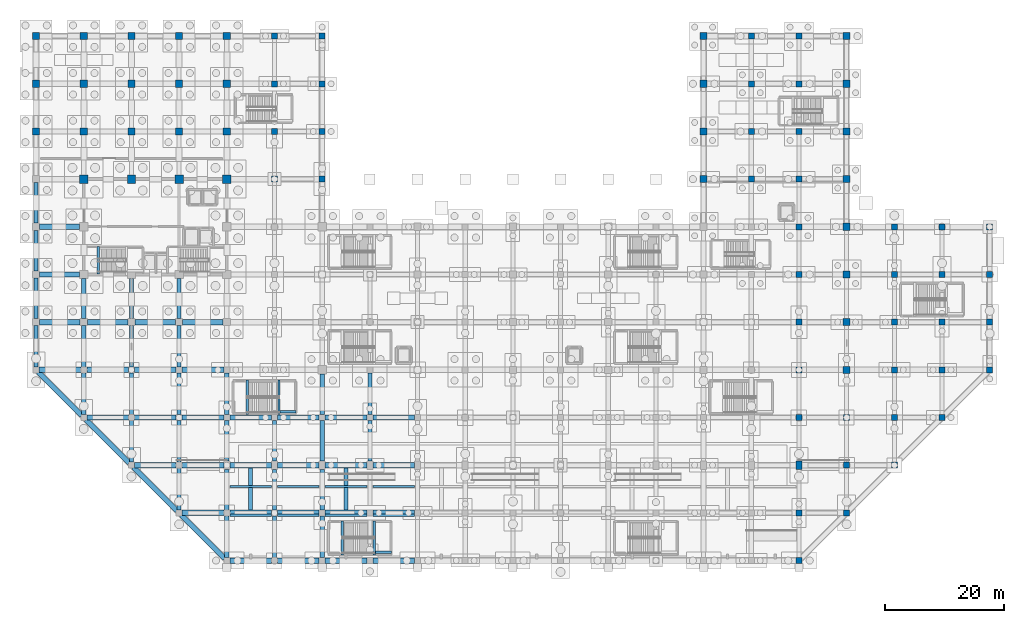
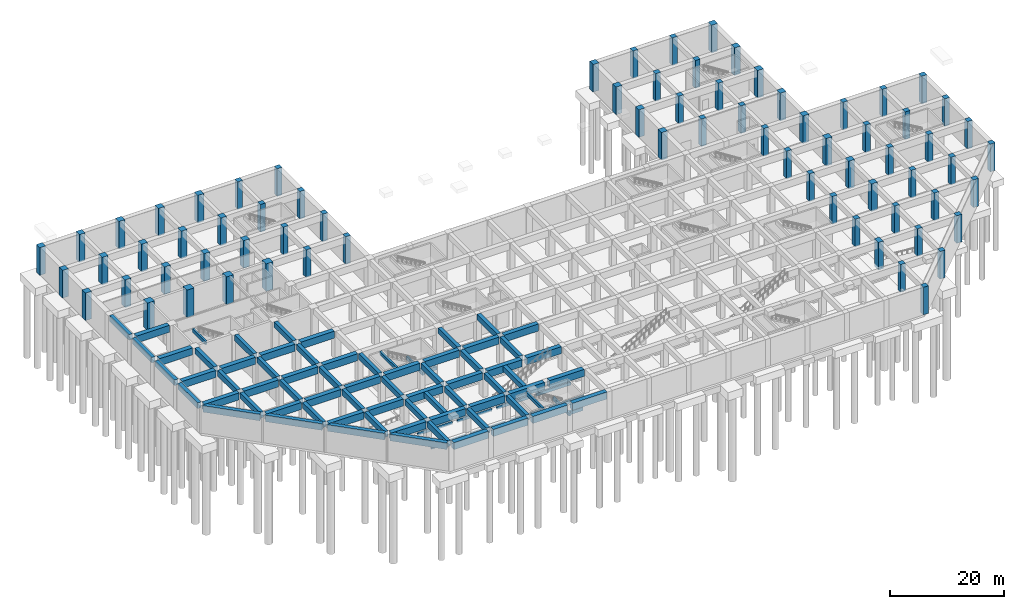
# One storey, part 10 of 26: 82 beams, 73 columns.
"""IFC4 building model written with IfcOpenShell, lengths in metres."""

from ifc_helpers import new_model, si_unit, direction, frame, origin, origin_2d, place, context, subcontext, project, spatial, rectangle, extrude, material, material_profile, profile_set, type_object, element, save


model = new_model("IFC4")

# Units and contexts
model_context = context("Model", 3, precision=1e-05, world=origin(), true_north=direction((0.0, 1.0)))
body_context = subcontext(model_context, "Body", "Model", "MODEL_VIEW")
ifc_project = project(units=[si_unit("LENGTHUNIT", "METRE"), si_unit("AREAUNIT", "SQUARE_METRE"), si_unit("VOLUMEUNIT", "CUBIC_METRE"), si_unit("PLANEANGLEUNIT", "RADIAN"), si_unit("MASSUNIT", "GRAM", prefix="KILO")], contexts=[model_context])

# Site, building, storey
site_placement = place(None, origin())
site = spatial("IfcSite", under=ifc_project, at=site_placement, CompositionType="ELEMENT")
building_placement = place(site_placement, origin())
building = spatial("IfcBuilding", under=site, at=building_placement, Name="Varnela Railside Interchange", CompositionType="ELEMENT")
storey_placement = place(building_placement, frame((0.0, 0.0, -12.60009765625)))
storey = spatial("IfcBuildingStorey", under=building, at=storey_placement, Name="B2", CompositionType="ELEMENT", Elevation=-12.60009765625)

# Columns
ifc_material_1 = material(Name="Concrete C50", Category="concrete")
ifc_material_profile_1 = material_profile(ifc_material_1, rectangle(XDim=1.199951171875, YDim=1.199951171875, at=origin_2d()), Name="RC 1200x1200")
ifc_profile_set_1 = profile_set([ifc_material_profile_1], Name="Concrete C50")
column_type_1 = type_object("IfcColumnType", Name="Station Box Heavy Column C-09", PredefinedType="COLUMN", material=ifc_profile_set_1)
for number, where, z_axis, x_axis, name in (
    (1, (4.0, 78.0, 0.0), (0.0, 0.0, 1.0), (1.0, 0.0, 0.0), "Column C-09 (B2) (CL-0099)"),
    (2, (4.0, 86.0, 0.0), (0.0, 0.0, 1.0), (1.0, 0.0, 0.0), "Column C-09 (B2) (CL-0100)"),
    (3, (4.0, 94.0, 0.0), (0.0, 0.0, 1.0), (1.0, 0.0, 0.0), "Column C-09 (B2) (CL-0101)"),
    (4, (12.0, 78.0, 0.0), (0.0, 0.0, 1.0), (1.0, 0.0, 0.0), "Column C-09 (B2) (CL-0117)"),
    (5, (12.0, 86.0, 0.0), (0.0, 0.0, 1.0), (1.0, 0.0, 0.0), "Column C-09 (B2) (CL-0118)"),
    (6, (12.0, 94.0, 0.0), (0.0, 0.0, 1.0), (1.0, 0.0, 0.0), "Column C-09 (B2) (CL-0119)"),
    (7, (20.0, 78.0, 0.0), (0.0, 0.0, 1.0), (1.0, 0.0, 0.0), "Column C-09 (B2) (CL-0126)"),
    (8, (20.0, 86.0, 0.0), (0.0, 0.0, 1.0), (1.0, 0.0, 0.0), "Column C-09 (B2) (CL-0127)"),
    (9, (20.0, 94.0, 0.0), (0.0, 0.0, 1.0), (1.0, 0.0, 0.0), "Column C-09 (B2) (CL-0128)"),
    (10, (28.0, 78.0, 0.0), (0.0, 0.0, 1.0), (1.0, 0.0, 0.0), "Column C-09 (B2) (CL-0136)"),
    (11, (28.0, 86.0, 0.0), (0.0, 0.0, 1.0), (1.0, 0.0, 0.0), "Column C-09 (B2) (CL-0137)"),
    (12, (28.0, 94.0, 0.0), (0.0, 0.0, 1.0), (1.0, 0.0, 0.0), "Column C-09 (B2) (CL-0138)"),
    (13, (36.0, 78.0, 0.0), (0.0, 0.0, 1.0), (1.0, 0.0, 0.0), "Column C-09 (B2) (CL-0148)"),
    (14, (36.0, 86.0, 0.0), (0.0, 0.0, 1.0), (1.0, 0.0, 0.0), "Column C-09 (B2) (CL-0149)"),
    (15, (36.0, 94.0, 0.0), (0.0, 0.0, 1.0), (1.0, 0.0, 0.0), "Column C-09 (B2) (CL-0150)"),
    (16, (116.0, 70.0, 0.0), (0.0, 0.0, 1.0), (1.0, 0.0, 0.0), "Column C-09 (B2) (CL-0049)"),
    (17, (116.0, 78.0, 0.0), (0.0, 0.0, 1.0), (1.0, 0.0, 0.0), "Column C-09 (B2) (CL-0050)"),
    (18, (116.0, 86.0, 0.0), (0.0, 0.0, 1.0), (1.0, 0.0, 0.0), "Column C-09 (B2) (CL-0051)"),
    (19, (116.0, 94.0, 0.0), (0.0, 0.0, 1.0), (1.0, 0.0, 0.0), "Column C-09 (B2) (CL-0052)"),
    (20, (140.0, 38.0, 0.0), (0.0, 0.0, 1.0), (1.0, 0.0, 0.0), "Column C-09 (B2) (CL-0080)"),
    (21, (140.0, 46.0, 0.0), (0.0, 0.0, 1.0), (1.0, 0.0, 0.0), "Column C-09 (B2) (CL-0081)"),
    (22, (140.0, 54.0, 0.0), (0.0, 0.0, 1.0), (1.0, 0.0, 0.0), "Column C-09 (B2) (CL-0082)"),
    (23, (140.0, 62.0, 0.0), (0.0, 0.0, 1.0), (1.0, 0.0, 0.0), "Column C-09 (B2) (CL-0083)"),
    (24, (140.0, 70.0, 0.0), (0.0, 0.0, 1.0), (1.0, 0.0, 0.0), "Column C-09 (B2) (CL-0084)"),
    (25, (140.0, 78.0, 0.0), (0.0, 0.0, 1.0), (1.0, 0.0, 0.0), "Column C-09 (B2) (CL-0085)"),
    (26, (140.0, 86.0, 0.0), (0.0, 0.0, 1.0), (1.0, 0.0, 0.0), "Column C-09 (B2) (CL-0086)"),
    (27, (140.0, 94.0, 0.0), (0.0, 0.0, 1.0), (1.0, 0.0, 0.0), "Column C-09 (B2) (CL-0087)"),
):
    element("IfcColumn", number, at=place(storey_placement, frame(where, z_axis=z_axis, x_axis=x_axis)), inside=storey, type_object=column_type_1, Name=name, PredefinedType="COLUMN", context=body_context, shape_type="SweptSolid", body=[
        extrude(rectangle(XDim=1.199951171875, YDim=1.199951171875, at=origin_2d()), origin(), (0.0, 0.0, 1.0), 5.900146484375),
    ])
ifc_material_profile_2 = material_profile(ifc_material_1, rectangle(XDim=1.39990234375, YDim=1.39990234375, at=origin_2d()), Name="RC 1400x1400")
ifc_profile_set_2 = profile_set([ifc_material_profile_2], Name="Concrete C50")
column_type_2 = type_object("IfcColumnType", Name="Station Box Mega Column C-10", PredefinedType="COLUMN", material=ifc_profile_set_2)
for number, where, z_axis, x_axis, name in (
    (28, (12.0, 70.0, 0.0), (0.0, 0.0, 1.0), (1.0, 0.0, 0.0), "Column C-10 (B2) (CL-0116)"),
    (29, (20.0, 70.0, 0.0), (0.0, 0.0, 1.0), (1.0, 0.0, 0.0), "Column C-10 (B2) (CL-0125)"),
    (30, (28.0, 70.0, 0.0), (0.0, 0.0, 1.0), (1.0, 0.0, 0.0), "Column C-10 (B2) (CL-0135)"),
    (31, (36.0, 70.0, 0.0), (0.0, 0.0, 1.0), (1.0, 0.0, 0.0), "Column C-10 (B2) (CL-0147)"),
):
    element("IfcColumn", number, at=place(storey_placement, frame(where, z_axis=z_axis, x_axis=x_axis)), inside=storey, type_object=column_type_2, Name=name, PredefinedType="COLUMN", context=body_context, shape_type="SweptSolid", body=[
        extrude(rectangle(XDim=1.39990234375, YDim=1.39990234375, at=origin_2d()), origin(), (0.0, 0.0, 1.0), 5.900146484375),
    ])
ifc_material_profile_3 = material_profile(ifc_material_1, rectangle(XDim=1.0, YDim=1.39990234375, at=origin_2d()), Name="RC 1000x1400")
ifc_profile_set_3 = profile_set([ifc_material_profile_3], Name="Concrete C50")
column_type_3 = type_object("IfcColumnType", Name="Station Box Rect Column C-08", PredefinedType="COLUMN", material=ifc_profile_set_3)
column_placement = place(storey_placement, frame((132.0, 22.0, 0.0), z_axis=(0.0, 0.0, 1.0), x_axis=(1.0, 0.0, 0.0)))
element("IfcColumn", 32, at=column_placement, inside=storey, type_object=column_type_3, Name="Column C-08 (B2) (CL-0067)", PredefinedType="COLUMN", context=body_context, shape_type="SweptSolid", body=[
    extrude(rectangle(XDim=1.0, YDim=1.39990234375, at=origin_2d()), origin(), (0.0, 0.0, 1.0), 5.900146484375),
])
ifc_material_profile_4 = material_profile(ifc_material_1, rectangle(XDim=1.0, YDim=1.0, at=origin_2d()), Name="RC 1000x1000")
ifc_profile_set_4 = profile_set([ifc_material_profile_4], Name="Concrete C50")
column_type_4 = type_object("IfcColumnType", Name="Station Box Standard Col C-07", PredefinedType="COLUMN", material=ifc_profile_set_4)
for number, where, z_axis, x_axis, name in (
    (33, (44.0, 70.0, 0.0), (0.0, 0.0, 1.0), (1.0, 0.0, 0.0), "Column C-07 (B2) (CL-0159)"),
    (34, (44.0, 78.0, 0.0), (0.0, 0.0, 1.0), (1.0, 0.0, 0.0), "Column C-07 (B2) (CL-0160)"),
    (35, (44.0, 86.0, 0.0), (0.0, 0.0, 1.0), (1.0, 0.0, 0.0), "Column C-07 (B2) (CL-0161)"),
    (36, (44.0, 94.0, 0.0), (0.0, 0.0, 1.0), (1.0, 0.0, 0.0), "Column C-07 (B2) (CL-0162)"),
    (37, (52.0, 70.0, 0.0), (0.0, 0.0, 1.0), (1.0, 0.0, 0.0), "Column C-07 (B2) (CL-0171)"),
    (38, (52.0, 78.0, 0.0), (0.0, 0.0, 1.0), (1.0, 0.0, 0.0), "Column C-07 (B2) (CL-0172)"),
    (39, (52.0, 86.0, 0.0), (0.0, 0.0, 1.0), (1.0, 0.0, 0.0), "Column C-07 (B2) (CL-0173)"),
    (40, (52.0, 94.0, 0.0), (0.0, 0.0, 1.0), (1.0, 0.0, 0.0), "Column C-07 (B2) (CL-0174)"),
    (41, (124.0, 70.0, 0.0), (0.0, 0.0, 1.0), (1.0, 0.0, 0.0), "Column C-07 (B2) (CL-0061)"),
    (42, (124.0, 78.0, 0.0), (0.0, 0.0, 1.0), (1.0, 0.0, 0.0), "Column C-07 (B2) (CL-0062)"),
    (43, (124.0, 86.0, 0.0), (0.0, 0.0, 1.0), (1.0, 0.0, 0.0), "Column C-07 (B2) (CL-0063)"),
    (44, (124.0, 94.0, 0.0), (0.0, 0.0, 1.0), (1.0, 0.0, 0.0), "Column C-07 (B2) (CL-0064)"),
    (45, (132.0, 6.0, 0.0), (0.0, 0.0, 1.0), (1.0, 0.0, 0.0), "Column C-07 (B2) (CL-0065)"),
    (46, (132.0, 14.0, 0.0), (0.0, 0.0, 1.0), (1.0, 0.0, 0.0), "Column C-07 (B2) (CL-0066)"),
    (47, (132.0, 30.0, 0.0), (0.0, 0.0, 1.0), (1.0, 0.0, 0.0), "Column C-07 (B2) (CL-0068)"),
    (48, (132.0, 38.0, 0.0), (0.0, 0.0, 1.0), (1.0, 0.0, 0.0), "Column C-07 (B2) (CL-0069)"),
    (49, (132.0, 46.0, 0.0), (0.0, 0.0, 1.0), (1.0, 0.0, 0.0), "Column C-07 (B2) (CL-0070)"),
    (50, (132.0, 54.0, 0.0), (0.0, 0.0, 1.0), (1.0, 0.0, 0.0), "Column C-07 (B2) (CL-0071)"),
    (51, (132.0, 62.0, 0.0), (0.0, 0.0, 1.0), (1.0, 0.0, 0.0), "Column C-07 (B2) (CL-0072)"),
    (52, (132.0, 70.0, 0.0), (0.0, 0.0, 1.0), (1.0, 0.0, 0.0), "Column C-07 (B2) (CL-0073)"),
    (53, (132.0, 78.0, 0.0), (0.0, 0.0, 1.0), (1.0, 0.0, 0.0), "Column C-07 (B2) (CL-0074)"),
    (54, (132.0, 86.0, 0.0), (0.0, 0.0, 1.0), (1.0, 0.0, 0.0), "Column C-07 (B2) (CL-0075)"),
    (55, (132.0, 94.0, 0.0), (0.0, 0.0, 1.0), (1.0, 0.0, 0.0), "Column C-07 (B2) (CL-0076)"),
    (56, (140.0, 14.0, 0.0), (0.0, 0.0, 1.0), (1.0, 0.0, 0.0), "Column C-07 (B2) (CL-0077)"),
    (57, (140.0, 22.0, 0.0), (0.0, 0.0, 1.0), (1.0, 0.0, 0.0), "Column C-07 (B2) (CL-0078)"),
    (58, (140.0, 30.0, 0.0), (0.0, 0.0, 1.0), (1.0, 0.0, 0.0), "Column C-07 (B2) (CL-0079)"),
    (59, (148.0, 22.0, 0.0), (0.0, 0.0, 1.0), (1.0, 0.0, 0.0), "Column C-07 (B2) (CL-0088)"),
    (60, (148.0, 30.0, 0.0), (0.0, 0.0, 1.0), (1.0, 0.0, 0.0), "Column C-07 (B2) (CL-0089)"),
    (61, (148.0, 38.0, 0.0), (0.0, 0.0, 1.0), (1.0, 0.0, 0.0), "Column C-07 (B2) (CL-0090)"),
    (62, (148.0, 46.0, 0.0), (0.0, 0.0, 1.0), (1.0, 0.0, 0.0), "Column C-07 (B2) (CL-0091)"),
    (63, (148.0, 54.0, 0.0), (0.0, 0.0, 1.0), (1.0, 0.0, 0.0), "Column C-07 (B2) (CL-0092)"),
    (64, (148.0, 62.0, 0.0), (0.0, 0.0, 1.0), (1.0, 0.0, 0.0), "Column C-07 (B2) (CL-0093)"),
    (65, (156.0, 30.0, 0.0), (0.0, 0.0, 1.0), (1.0, 0.0, 0.0), "Column C-07 (B2) (CL-0102)"),
    (66, (156.0, 38.0, 0.0), (0.0, 0.0, 1.0), (1.0, 0.0, 0.0), "Column C-07 (B2) (CL-0103)"),
    (67, (156.0, 46.0, 0.0), (0.0, 0.0, 1.0), (1.0, 0.0, 0.0), "Column C-07 (B2) (CL-0104)"),
    (68, (156.0, 54.0, 0.0), (0.0, 0.0, 1.0), (1.0, 0.0, 0.0), "Column C-07 (B2) (CL-0105)"),
    (69, (156.0, 62.0, 0.0), (0.0, 0.0, 1.0), (1.0, 0.0, 0.0), "Column C-07 (B2) (CL-0106)"),
    (70, (164.0, 38.0, 0.0), (0.0, 0.0, 1.0), (1.0, 0.0, 0.0), "Column C-07 (B2) (CL-0107)"),
    (71, (164.0, 46.0, 0.0), (0.0, 0.0, 1.0), (1.0, 0.0, 0.0), "Column C-07 (B2) (CL-0108)"),
    (72, (164.0, 54.0, 0.0), (0.0, 0.0, 1.0), (1.0, 0.0, 0.0), "Column C-07 (B2) (CL-0109)"),
    (73, (164.0, 62.0, 0.0), (0.0, 0.0, 1.0), (1.0, 0.0, 0.0), "Column C-07 (B2) (CL-0110)"),
):
    element("IfcColumn", number, at=place(storey_placement, frame(where, z_axis=z_axis, x_axis=x_axis)), inside=storey, type_object=column_type_4, Name=name, PredefinedType="COLUMN", context=body_context, shape_type="SweptSolid", body=[
        extrude(rectangle(XDim=1.0, YDim=1.0, at=origin_2d()), origin(), (0.0, 0.0, 1.0), 5.900146484375),
    ])

# Beams
ifc_material_profile_5 = material_profile(ifc_material_1, rectangle(XDim=0.800048828125, YDim=1.39990234375, at=origin_2d()), Name="RC 800x1400")
ifc_profile_set_5 = profile_set([ifc_material_profile_5], Name="Concrete C50")
beam_type_1 = type_object("IfcBeamType", Name="Bus Deck Portal Girder B-10", PredefinedType="BEAM", material=ifc_profile_set_5)
for number, where, z_axis, x_axis, name in (
    (74, (4.353515625, 37.646484375, 5.2001953125), (0.707106781187, -0.707106781187, 0.0), (0.707106781187, 0.707106781187, 0.0), "Bus Deck Portal Girder B-10 (B2) (BM-0344)"),
    (75, (12.353515625, 29.646484375, 5.2001953125), (0.707106781187, -0.707106781187, 0.0), (0.707106781187, 0.707106781187, 0.0), "Bus Deck Portal Girder B-10 (B2) (BM-0345)"),
    (76, (20.353515625, 21.646484375, 5.2001953125), (0.707106781187, -0.707106781187, 0.0), (0.707106781187, 0.707106781187, 0.0), "Bus Deck Portal Girder B-10 (B2) (BM-0346)"),
    (77, (28.353515625, 13.646484375, 5.2001953125), (0.707106781187, -0.707106781187, 0.0), (0.707106781187, 0.707106781187, 0.0), "Bus Deck Portal Girder B-10 (B2) (BM-0347)"),
):
    element("IfcBeam", number, at=place(storey_placement, frame(where, z_axis=z_axis, x_axis=x_axis)), inside=storey, type_object=beam_type_1, Name=name, PredefinedType="BEAM", context=body_context, shape_type="SweptSolid", body=[
        extrude(rectangle(XDim=0.800048828125, YDim=1.39990234375, at=origin_2d()), origin(), (0.0, 0.0, 1.0), 10.313720703125),
    ])
ifc_material_2 = material(Name="Concrete C40", Category="concrete")
ifc_material_profile_6 = material_profile(ifc_material_2, rectangle(XDim=0.39990234375, YDim=0.699951171875, at=origin_2d()), Name="RC 400x700")
ifc_profile_set_6 = profile_set([ifc_material_profile_6], Name="Concrete C40")
beam_type_2 = type_object("IfcBeamType", Name="Concrete Tie Beam B-01", PredefinedType="BEAM", material=ifc_profile_set_6)
beam_1_placement = place(storey_placement, frame((14.39990234375, 54.1201171875, 5.550048828125), z_axis=(0.0, 1.0, 0.0), x_axis=(-1.0, 0.0, 0.0)))
element("IfcBeam", 78, at=beam_1_placement, inside=storey, type_object=beam_type_2, Name="Concrete Tie Beam B-01 (B2) (BM-0393)", PredefinedType="BEAM", context=body_context, shape_type="SweptSolid", body=[
    extrude(rectangle(XDim=0.39990234375, YDim=0.699951171875, at=origin_2d()), origin(), (0.0, 0.0, 1.0), 4.559814453125),
])
for number, where, z_axis, x_axis, name in (
    (79, (39.39990234375, 30.52001953125, 5.550048828125), (0.0, 1.0, 0.0), (-1.0, 0.0, 0.0), "Concrete Tie Beam B-01 (B2) (BM-0389)"),
    (80, (44.7548828125, 30.52001953125, 2.64013671875), (0.0, 1.0, 0.0), (-1.0, 0.0, 0.0), "Concrete Tie Beam B-01 (B2) (BM-0375)"),
):
    element("IfcBeam", number, at=place(storey_placement, frame(where, z_axis=z_axis, x_axis=x_axis)), inside=storey, type_object=beam_type_2, Name=name, PredefinedType="BEAM", context=body_context, shape_type="SweptSolid", body=[
        extrude(rectangle(XDim=0.39990234375, YDim=0.699951171875, at=origin_2d()), origin(), (0.0, 0.0, 1.0), 5.760009765625),
    ])
beam_2_placement = place(storey_placement, frame((44.955078125, 31.0, 2.64013671875), z_axis=(1.0, 0.0, 0.0), x_axis=(0.0, 1.0, 0.0)))
element("IfcBeam", 81, at=beam_2_placement, inside=storey, type_object=beam_type_2, Name="Concrete Tie Beam B-01 (B2) (BM-0361)", PredefinedType="BEAM", context=body_context, shape_type="SweptSolid", body=[
    extrude(rectangle(XDim=0.39990234375, YDim=0.699951171875, at=origin_2d()), origin(), (0.0, 0.0, 1.0), 2.6650390625),
])
for number, where, z_axis, x_axis, name in (
    (82, (55.39990234375, 6.919921875, 5.550048828125), (0.0, 1.0, 0.0), (-1.0, 0.0, 0.0), "Concrete Tie Beam B-01 (B2) (BM-0391)"),
    (83, (60.7548828125, 6.919921875, 2.64013671875), (0.0, 1.0, 0.0), (-1.0, 0.0, 0.0), "Concrete Tie Beam B-01 (B2) (BM-0377)"),
):
    element("IfcBeam", number, at=place(storey_placement, frame(where, z_axis=z_axis, x_axis=x_axis)), inside=storey, type_object=beam_type_2, Name=name, PredefinedType="BEAM", context=body_context, shape_type="SweptSolid", body=[
        extrude(rectangle(XDim=0.39990234375, YDim=0.699951171875, at=origin_2d()), origin(), (0.0, 0.0, 1.0), 5.760009765625),
    ])
beam_3_placement = place(storey_placement, frame((60.955078125, 7.39990234375, 2.64013671875), z_axis=(1.0, 0.0, 0.0), x_axis=(0.0, 1.0, 0.0)))
element("IfcBeam", 84, at=beam_3_placement, inside=storey, type_object=beam_type_2, Name="Concrete Tie Beam B-01 (B2) (BM-0363)", PredefinedType="BEAM", context=body_context, shape_type="SweptSolid", body=[
    extrude(rectangle(XDim=0.39990234375, YDim=0.699951171875, at=origin_2d()), origin(), (0.0, 0.0, 1.0), 2.6650390625),
])
ifc_material_profile_7 = material_profile(ifc_material_1, rectangle(XDim=0.89990234375, YDim=1.5, at=origin_2d()), Name="RC 900x1500")
ifc_profile_set_7 = profile_set([ifc_material_profile_7], Name="Concrete C50")
beam_type_3 = type_object("IfcBeamType", Name="Metro Trackway Girder B-11", PredefinedType="BEAM", material=ifc_profile_set_7)
for number, where, z_axis, x_axis, name in (
    (85, (36.5, 6.0, 5.150146484375), (1.0, 0.0, 0.0), (0.0, 1.0, 0.0), "Metro Trackway Girder B-11 (B2) (BM-0028)"),
    (86, (44.5, 6.0, 5.150146484375), (1.0, 0.0, 0.0), (0.0, 1.0, 0.0), "Metro Trackway Girder B-11 (B2) (BM-0029)"),
    (87, (52.5, 6.0, 5.150146484375), (1.0, 0.0, 0.0), (0.0, 1.0, 0.0), "Metro Trackway Girder B-11 (B2) (BM-0030)"),
    (88, (60.5, 6.0, 5.150146484375), (1.0, 0.0, 0.0), (0.0, 1.0, 0.0), "Metro Trackway Girder B-11 (B2) (BM-0031)"),
    (89, (28.5, 14.0, 5.150146484375), (1.0, 0.0, 0.0), (0.0, 1.0, 0.0), "Metro Trackway Girder B-11 (B2) (BM-0041)"),
    (90, (36.5, 14.0, 5.150146484375), (1.0, 0.0, 0.0), (0.0, 1.0, 0.0), "Metro Trackway Girder B-11 (B2) (BM-0042)"),
    (91, (44.5, 14.0, 5.150146484375), (1.0, 0.0, 0.0), (0.0, 1.0, 0.0), "Metro Trackway Girder B-11 (B2) (BM-0043)"),
    (92, (52.5, 14.0, 5.150146484375), (1.0, 0.0, 0.0), (0.0, 1.0, 0.0), "Metro Trackway Girder B-11 (B2) (BM-0044)"),
    (93, (60.5, 14.0, 5.150146484375), (1.0, 0.0, 0.0), (0.0, 1.0, 0.0), "Metro Trackway Girder B-11 (B2) (BM-0045)"),
    (94, (20.5, 22.0, 5.150146484375), (1.0, 0.0, 0.0), (0.0, 1.0, 0.0), "Metro Trackway Girder B-11 (B2) (BM-0056)"),
    (95, (28.5, 22.0, 5.150146484375), (1.0, 0.0, 0.0), (0.0, 1.0, 0.0), "Metro Trackway Girder B-11 (B2) (BM-0057)"),
    (96, (36.5, 22.0, 5.150146484375), (1.0, 0.0, 0.0), (0.0, 1.0, 0.0), "Metro Trackway Girder B-11 (B2) (BM-0058)"),
    (97, (44.5, 22.0, 5.150146484375), (1.0, 0.0, 0.0), (0.0, 1.0, 0.0), "Metro Trackway Girder B-11 (B2) (BM-0059)"),
    (98, (52.5, 22.0, 5.150146484375), (1.0, 0.0, 0.0), (0.0, 1.0, 0.0), "Metro Trackway Girder B-11 (B2) (BM-0060)"),
    (99, (60.5, 22.0, 5.150146484375), (1.0, 0.0, 0.0), (0.0, 1.0, 0.0), "Metro Trackway Girder B-11 (B2) (BM-0061)"),
    (100, (12.5, 30.0, 5.150146484375), (1.0, 0.0, 0.0), (0.0, 1.0, 0.0), "Metro Trackway Girder B-11 (B2) (BM-0070)"),
    (101, (20.5, 30.0, 5.150146484375), (1.0, 0.0, 0.0), (0.0, 1.0, 0.0), "Metro Trackway Girder B-11 (B2) (BM-0074)"),
    (102, (28.5, 30.0, 5.150146484375), (1.0, 0.0, 0.0), (0.0, 1.0, 0.0), "Metro Trackway Girder B-11 (B2) (BM-0075)"),
    (103, (36.5, 30.0, 5.150146484375), (1.0, 0.0, 0.0), (0.0, 1.0, 0.0), "Metro Trackway Girder B-11 (B2) (BM-0076)"),
    (104, (44.5, 30.0, 5.150146484375), (1.0, 0.0, 0.0), (0.0, 1.0, 0.0), "Metro Trackway Girder B-11 (B2) (BM-0077)"),
    (105, (52.5, 30.0, 5.150146484375), (1.0, 0.0, 0.0), (0.0, 1.0, 0.0), "Metro Trackway Girder B-11 (B2) (BM-0078)"),
    (106, (60.5, 30.0, 5.150146484375), (1.0, 0.0, 0.0), (0.0, 1.0, 0.0), "Metro Trackway Girder B-11 (B2) (BM-0079)"),
    (107, (4.5, 38.0, 5.150146484375), (1.0, 0.0, 0.0), (0.0, 1.0, 0.0), "Metro Trackway Girder B-11 (B2) (BM-0097)"),
    (108, (12.5, 38.0, 5.150146484375), (1.0, 0.0, 0.0), (0.0, 1.0, 0.0), "Metro Trackway Girder B-11 (B2) (BM-0088)"),
    (109, (20.5, 38.0, 5.150146484375), (1.0, 0.0, 0.0), (0.0, 1.0, 0.0), "Metro Trackway Girder B-11 (B2) (BM-0093)"),
    (110, (28.5, 38.0, 5.150146484375), (1.0, 0.0, 0.0), (0.0, 1.0, 0.0), "Metro Trackway Girder B-11 (B2) (BM-0094)"),
):
    element("IfcBeam", number, at=place(storey_placement, frame(where, z_axis=z_axis, x_axis=x_axis)), inside=storey, type_object=beam_type_3, Name=name, PredefinedType="BEAM", context=body_context, shape_type="SweptSolid", body=[
        extrude(rectangle(XDim=0.89990234375, YDim=1.5, at=origin_2d()), origin(), (0.0, 0.0, 1.0), 7.0),
    ])
for number, where, z_axis, x_axis, name in (
    (111, (4.60009765625, 46.0, 5.150146484375), (1.0, 0.0, 0.0), (0.0, 1.0, 0.0), "Metro Trackway Girder B-11 (B2) (BM-0117)"),
    (112, (12.60009765625, 46.0, 5.150146484375), (1.0, 0.0, 0.0), (0.0, 1.0, 0.0), "Metro Trackway Girder B-11 (B2) (BM-0108)"),
    (113, (20.60009765625, 46.0, 5.150146484375), (1.0, 0.0, 0.0), (0.0, 1.0, 0.0), "Metro Trackway Girder B-11 (B2) (BM-0113)"),
    (114, (28.60009765625, 46.0, 5.150146484375), (1.0, 0.0, 0.0), (0.0, 1.0, 0.0), "Metro Trackway Girder B-11 (B2) (BM-0114)"),
):
    element("IfcBeam", number, at=place(storey_placement, frame(where, z_axis=z_axis, x_axis=x_axis)), inside=storey, type_object=beam_type_3, Name=name, PredefinedType="BEAM", context=body_context, shape_type="SweptSolid", body=[
        extrude(rectangle(XDim=0.89990234375, YDim=1.5, at=origin_2d()), origin(), (0.0, 0.0, 1.0), 6.7998046875),
    ])
for number, where, z_axis, x_axis, name in (
    (115, (4.60009765625, 54.0, 5.150146484375), (1.0, 0.0, 0.0), (0.0, 1.0, 0.0), "Metro Trackway Girder B-11 (B2) (BM-0134)"),
    (116, (4.60009765625, 62.0, 5.150146484375), (1.0, 0.0, 0.0), (0.0, 1.0, 0.0), "Metro Trackway Girder B-11 (B2) (BM-0151)"),
):
    element("IfcBeam", number, at=place(storey_placement, frame(where, z_axis=z_axis, x_axis=x_axis)), inside=storey, type_object=beam_type_3, Name=name, PredefinedType="BEAM", context=body_context, shape_type="SweptSolid", body=[
        extrude(rectangle(XDim=0.89990234375, YDim=1.5, at=origin_2d()), origin(), (0.0, 0.0, 1.0), 6.699951171875),
    ])
ifc_material_3 = material(Name="Concrete C40 precast", Category="concrete")
ifc_material_profile_8 = material_profile(ifc_material_3, rectangle(XDim=0.35009765625, YDim=0.64990234375, at=origin_2d()), Name="PC 350x650")
ifc_profile_set_8 = profile_set([ifc_material_profile_8], Name="Concrete C40 precast")
beam_type_4 = type_object("IfcBeamType", Name="Precast Platform Edge Beam PB-01", PredefinedType="T_BEAM", material=ifc_profile_set_8)
for number, where, z_axis, x_axis, name in (
    (117, (36.5, 13.60009765625, 0.025146484375), (1.0, 0.0, 0.0), (0.0, 1.0, 0.0), "Precast Platform Edge Beam PB-01 (B2) (BM-0013)"),
    (118, (44.5, 13.60009765625, 0.025146484375), (1.0, 0.0, 0.0), (0.0, 1.0, 0.0), "Precast Platform Edge Beam PB-01 (B2) (BM-0014)"),
    (119, (52.5, 13.60009765625, 0.025146484375), (1.0, 0.0, 0.0), (0.0, 1.0, 0.0), "Precast Platform Edge Beam PB-01 (B2) (BM-0016)"),
    (120, (60.5, 13.60009765625, 0.025146484375), (1.0, 0.0, 0.0), (0.0, 1.0, 0.0), "Precast Platform Edge Beam PB-01 (B2) (BM-0017)"),
    (121, (36.5, 18.39990234375, 0.025146484375), (1.0, 0.0, 0.0), (0.0, 1.0, 0.0), "Precast Platform Edge Beam PB-01 (B2) (BM-0001)"),
    (122, (44.5, 18.39990234375, 0.025146484375), (1.0, 0.0, 0.0), (0.0, 1.0, 0.0), "Precast Platform Edge Beam PB-01 (B2) (BM-0002)"),
    (123, (52.5, 18.39990234375, 0.025146484375), (1.0, 0.0, 0.0), (0.0, 1.0, 0.0), "Precast Platform Edge Beam PB-01 (B2) (BM-0005)"),
    (124, (60.5, 18.39990234375, 0.025146484375), (1.0, 0.0, 0.0), (0.0, 1.0, 0.0), "Precast Platform Edge Beam PB-01 (B2) (BM-0006)"),
):
    element("IfcBeam", number, at=place(storey_placement, frame(where, z_axis=z_axis, x_axis=x_axis)), inside=storey, type_object=beam_type_4, Name=name, PredefinedType="T_BEAM", context=body_context, shape_type="SweptSolid", body=[
        extrude(rectangle(XDim=0.35009765625, YDim=0.64990234375, at=origin_2d()), origin(), (0.0, 0.0, 1.0), 7.0),
    ])
ifc_material_profile_9 = material_profile(ifc_material_1, rectangle(XDim=0.699951171875, YDim=1.199951171875, at=origin_2d()), Name="RC 700x1200")
ifc_profile_set_9 = profile_set([ifc_material_profile_9], Name="Concrete C50")
beam_type_5 = type_object("IfcBeamType", Name="Station Box Main Girder B-08", PredefinedType="BEAM", material=ifc_profile_set_9)
beam_4_placement = place(storey_placement, frame((4.0, 38.5, 5.300048828125), z_axis=(0.0, 1.0, 0.0), x_axis=(-1.0, 0.0, 0.0)))
element("IfcBeam", 125, at=beam_4_placement, inside=storey, type_object=beam_type_5, Name="Station Box Main Girder B-08 (B2) (BM-0266)", PredefinedType="BEAM", context=body_context, shape_type="SweptSolid", body=[
    extrude(rectangle(XDim=0.699951171875, YDim=1.199951171875, at=origin_2d()), origin(), (0.0, 0.0, 1.0), 6.89990234375),
])
for number, where, z_axis, x_axis, name in (
    (126, (4.0, 46.60009765625, 5.300048828125), (0.0, 1.0, 0.0), (-1.0, 0.0, 0.0), "Station Box Main Girder B-08 (B2) (BM-0267)"),
    (127, (4.0, 54.60009765625, 5.300048828125), (0.0, 1.0, 0.0), (-1.0, 0.0, 0.0), "Station Box Main Girder B-08 (B2) (BM-0268)"),
    (128, (4.0, 62.60009765625, 5.300048828125), (0.0, 1.0, 0.0), (-1.0, 0.0, 0.0), "Station Box Main Girder B-08 (B2) (BM-0269)"),
):
    element("IfcBeam", number, at=place(storey_placement, frame(where, z_axis=z_axis, x_axis=x_axis)), inside=storey, type_object=beam_type_5, Name=name, PredefinedType="BEAM", context=body_context, shape_type="SweptSolid", body=[
        extrude(rectangle(XDim=0.699951171875, YDim=1.199951171875, at=origin_2d()), origin(), (0.0, 0.0, 1.0), 6.7998046875),
    ])
beam_5_placement = place(storey_placement, frame((12.0, 30.5, 5.300048828125), z_axis=(0.0, 1.0, 0.0), x_axis=(-1.0, 0.0, 0.0)))
element("IfcBeam", 129, at=beam_5_placement, inside=storey, type_object=beam_type_5, Name="Station Box Main Girder B-08 (B2) (BM-0279)", PredefinedType="BEAM", context=body_context, shape_type="SweptSolid", body=[
    extrude(rectangle(XDim=0.699951171875, YDim=1.199951171875, at=origin_2d()), origin(), (0.0, 0.0, 1.0), 7.0),
])
beam_6_placement = place(storey_placement, frame((12.0, 38.5, 5.300048828125), z_axis=(0.0, 1.0, 0.0), x_axis=(-1.0, 0.0, 0.0)))
element("IfcBeam", 130, at=beam_6_placement, inside=storey, type_object=beam_type_5, Name="Station Box Main Girder B-08 (B2) (BM-0280)", PredefinedType="BEAM", context=body_context, shape_type="SweptSolid", body=[
    extrude(rectangle(XDim=0.699951171875, YDim=1.199951171875, at=origin_2d()), origin(), (0.0, 0.0, 1.0), 6.89990234375),
])
beam_7_placement = place(storey_placement, frame((12.0, 46.60009765625, 5.300048828125), z_axis=(0.0, 1.0, 0.0), x_axis=(-1.0, 0.0, 0.0)))
element("IfcBeam", 131, at=beam_7_placement, inside=storey, type_object=beam_type_5, Name="Station Box Main Girder B-08 (B2) (BM-0281)", PredefinedType="BEAM", context=body_context, shape_type="SweptSolid", body=[
    extrude(rectangle(XDim=0.699951171875, YDim=1.199951171875, at=origin_2d()), origin(), (0.0, 0.0, 1.0), 6.699951171875),
])
for number, where, z_axis, x_axis, name in (
    (132, (20.0, 22.5, 5.300048828125), (0.0, 1.0, 0.0), (-1.0, 0.0, 0.0), "Station Box Main Girder B-08 (B2) (BM-0285)"),
    (133, (20.0, 30.5, 5.300048828125), (0.0, 1.0, 0.0), (-1.0, 0.0, 0.0), "Station Box Main Girder B-08 (B2) (BM-0286)"),
):
    element("IfcBeam", number, at=place(storey_placement, frame(where, z_axis=z_axis, x_axis=x_axis)), inside=storey, type_object=beam_type_5, Name=name, PredefinedType="BEAM", context=body_context, shape_type="SweptSolid", body=[
        extrude(rectangle(XDim=0.699951171875, YDim=1.199951171875, at=origin_2d()), origin(), (0.0, 0.0, 1.0), 7.0),
    ])
beam_8_placement = place(storey_placement, frame((20.0, 38.5, 5.300048828125), z_axis=(0.0, 1.0, 0.0), x_axis=(-1.0, 0.0, 0.0)))
element("IfcBeam", 134, at=beam_8_placement, inside=storey, type_object=beam_type_5, Name="Station Box Main Girder B-08 (B2) (BM-0287)", PredefinedType="BEAM", context=body_context, shape_type="SweptSolid", body=[
    extrude(rectangle(XDim=0.699951171875, YDim=1.199951171875, at=origin_2d()), origin(), (0.0, 0.0, 1.0), 6.89990234375),
])
beam_9_placement = place(storey_placement, frame((20.0, 46.60009765625, 5.300048828125), z_axis=(0.0, 1.0, 0.0), x_axis=(-1.0, 0.0, 0.0)))
element("IfcBeam", 135, at=beam_9_placement, inside=storey, type_object=beam_type_5, Name="Station Box Main Girder B-08 (B2) (BM-0288)", PredefinedType="BEAM", context=body_context, shape_type="SweptSolid", body=[
    extrude(rectangle(XDim=0.699951171875, YDim=1.199951171875, at=origin_2d()), origin(), (0.0, 0.0, 1.0), 6.699951171875),
])
for number, where, z_axis, x_axis, name in (
    (136, (28.0, 14.5, 5.300048828125), (0.0, 1.0, 0.0), (-1.0, 0.0, 0.0), "Station Box Main Girder B-08 (B2) (BM-0292)"),
    (137, (28.0, 22.5, 5.300048828125), (0.0, 1.0, 0.0), (-1.0, 0.0, 0.0), "Station Box Main Girder B-08 (B2) (BM-0293)"),
    (138, (28.0, 30.5, 5.300048828125), (0.0, 1.0, 0.0), (-1.0, 0.0, 0.0), "Station Box Main Girder B-08 (B2) (BM-0294)"),
):
    element("IfcBeam", number, at=place(storey_placement, frame(where, z_axis=z_axis, x_axis=x_axis)), inside=storey, type_object=beam_type_5, Name=name, PredefinedType="BEAM", context=body_context, shape_type="SweptSolid", body=[
        extrude(rectangle(XDim=0.699951171875, YDim=1.199951171875, at=origin_2d()), origin(), (0.0, 0.0, 1.0), 7.0),
    ])
beam_10_placement = place(storey_placement, frame((28.0, 38.5, 5.300048828125), z_axis=(0.0, 1.0, 0.0), x_axis=(-1.0, 0.0, 0.0)))
element("IfcBeam", 139, at=beam_10_placement, inside=storey, type_object=beam_type_5, Name="Station Box Main Girder B-08 (B2) (BM-0295)", PredefinedType="BEAM", context=body_context, shape_type="SweptSolid", body=[
    extrude(rectangle(XDim=0.699951171875, YDim=1.199951171875, at=origin_2d()), origin(), (0.0, 0.0, 1.0), 6.89990234375),
])
beam_11_placement = place(storey_placement, frame((28.0, 46.60009765625, 5.300048828125), z_axis=(0.0, 1.0, 0.0), x_axis=(-1.0, 0.0, 0.0)))
element("IfcBeam", 140, at=beam_11_placement, inside=storey, type_object=beam_type_5, Name="Station Box Main Girder B-08 (B2) (BM-0296)", PredefinedType="BEAM", context=body_context, shape_type="SweptSolid", body=[
    extrude(rectangle(XDim=0.699951171875, YDim=1.199951171875, at=origin_2d()), origin(), (0.0, 0.0, 1.0), 6.699951171875),
])
beam_12_placement = place(storey_placement, frame((36.0, 6.5, 5.300048828125), z_axis=(0.0, 1.0, 0.0), x_axis=(-1.0, 0.0, 0.0)))
element("IfcBeam", 141, at=beam_12_placement, inside=storey, type_object=beam_type_5, Name="Station Box Main Girder B-08 (B2) (BM-0306)", PredefinedType="BEAM", context=body_context, shape_type="SweptSolid", body=[
    extrude(rectangle(XDim=0.699951171875, YDim=1.199951171875, at=origin_2d()), origin(), (0.0, 0.0, 1.0), 7.0),
])
for number, where, z_axis, x_axis, name in (
    (142, (36.0, 14.5, 5.300048828125), (0.0, 1.0, 0.0), (-1.0, 0.0, 0.0), "Station Box Main Girder B-08 (B2) (BM-0301)"),
    (143, (36.0, 22.699951171875, 5.300048828125), (0.0, 1.0, 0.0), (-1.0, 0.0, 0.0), "Station Box Main Girder B-08 (B2) (BM-0302)"),
):
    element("IfcBeam", number, at=place(storey_placement, frame(where, z_axis=z_axis, x_axis=x_axis)), inside=storey, type_object=beam_type_5, Name=name, PredefinedType="BEAM", context=body_context, shape_type="SweptSolid", body=[
        extrude(rectangle(XDim=0.699951171875, YDim=1.199951171875, at=origin_2d()), origin(), (0.0, 0.0, 1.0), 6.800048828125),
    ])
for number, where, z_axis, x_axis, name in (
    (144, (36.0, 30.5, 5.300048828125), (0.0, 1.0, 0.0), (-1.0, 0.0, 0.0), "Station Box Main Girder B-08 (B2) (BM-0303)"),
    (145, (44.0, 6.5, 5.300048828125), (0.0, 1.0, 0.0), (-1.0, 0.0, 0.0), "Station Box Main Girder B-08 (B2) (BM-0316)"),
):
    element("IfcBeam", number, at=place(storey_placement, frame(where, z_axis=z_axis, x_axis=x_axis)), inside=storey, type_object=beam_type_5, Name=name, PredefinedType="BEAM", context=body_context, shape_type="SweptSolid", body=[
        extrude(rectangle(XDim=0.699951171875, YDim=1.199951171875, at=origin_2d()), origin(), (0.0, 0.0, 1.0), 7.0),
    ])
for number, where, z_axis, x_axis, name in (
    (146, (44.0, 14.5, 5.300048828125), (0.0, 1.0, 0.0), (-1.0, 0.0, 0.0), "Station Box Main Girder B-08 (B2) (BM-0310)"),
    (147, (44.0, 22.699951171875, 5.300048828125), (0.0, 1.0, 0.0), (-1.0, 0.0, 0.0), "Station Box Main Girder B-08 (B2) (BM-0311)"),
):
    element("IfcBeam", number, at=place(storey_placement, frame(where, z_axis=z_axis, x_axis=x_axis)), inside=storey, type_object=beam_type_5, Name=name, PredefinedType="BEAM", context=body_context, shape_type="SweptSolid", body=[
        extrude(rectangle(XDim=0.699951171875, YDim=1.199951171875, at=origin_2d()), origin(), (0.0, 0.0, 1.0), 6.800048828125),
    ])
beam_13_placement = place(storey_placement, frame((52.0, 6.5, 5.300048828125), z_axis=(0.0, 1.0, 0.0), x_axis=(-1.0, 0.0, 0.0)))
element("IfcBeam", 148, at=beam_13_placement, inside=storey, type_object=beam_type_5, Name="Station Box Main Girder B-08 (B2) (BM-0326)", PredefinedType="BEAM", context=body_context, shape_type="SweptSolid", body=[
    extrude(rectangle(XDim=0.699951171875, YDim=1.199951171875, at=origin_2d()), origin(), (0.0, 0.0, 1.0), 7.0),
])
for number, where, z_axis, x_axis, name in (
    (149, (52.0, 14.5, 5.300048828125), (0.0, 1.0, 0.0), (-1.0, 0.0, 0.0), "Station Box Main Girder B-08 (B2) (BM-0319)"),
    (150, (52.0, 22.699951171875, 5.300048828125), (0.0, 1.0, 0.0), (-1.0, 0.0, 0.0), "Station Box Main Girder B-08 (B2) (BM-0320)"),
    (151, (52.0, 30.5, 5.300048828125), (0.0, 1.0, 0.0), (-1.0, 0.0, 0.0), "Station Box Main Girder B-08 (B2) (BM-0321)"),
    (152, (60.0, 22.699951171875, 5.300048828125), (0.0, 1.0, 0.0), (-1.0, 0.0, 0.0), "Station Box Main Girder B-08 (B2) (BM-0330)"),
):
    element("IfcBeam", number, at=place(storey_placement, frame(where, z_axis=z_axis, x_axis=x_axis)), inside=storey, type_object=beam_type_5, Name=name, PredefinedType="BEAM", context=body_context, shape_type="SweptSolid", body=[
        extrude(rectangle(XDim=0.699951171875, YDim=1.199951171875, at=origin_2d()), origin(), (0.0, 0.0, 1.0), 6.800048828125),
    ])
beam_14_placement = place(storey_placement, frame((60.0, 30.5, 5.300048828125), z_axis=(0.0, 1.0, 0.0), x_axis=(-1.0, 0.0, 0.0)))
element("IfcBeam", 153, at=beam_14_placement, inside=storey, type_object=beam_type_5, Name="Station Box Main Girder B-08 (B2) (BM-0331)", PredefinedType="BEAM", context=body_context, shape_type="SweptSolid", body=[
    extrude(rectangle(XDim=0.699951171875, YDim=1.199951171875, at=origin_2d()), origin(), (0.0, 0.0, 1.0), 7.0),
])
ifc_material_profile_10 = material_profile(ifc_material_1, rectangle(XDim=0.699951171875, YDim=1.10009765625, at=origin_2d()), Name="RC 700x1100")
ifc_profile_set_10 = profile_set([ifc_material_profile_10], Name="Concrete C50")
beam_type_6 = type_object("IfcBeamType", Name="Station Box RC Beam B-07", PredefinedType="BEAM", material=ifc_profile_set_10)
for number, where, z_axis, x_axis, name in (
    (154, (40.0, 14.449951171875, 5.35009765625), (0.0, 1.0, 0.0), (-1.0, 0.0, 0.0), "Station Box RC Beam B-07 (B2) (BM-0348)"),
    (155, (56.0, 14.449951171875, 5.35009765625), (0.0, 1.0, 0.0), (-1.0, 0.0, 0.0), "Station Box RC Beam B-07 (B2) (BM-0349)"),
):
    element("IfcBeam", number, at=place(storey_placement, frame(where, z_axis=z_axis, x_axis=x_axis)), inside=storey, type_object=beam_type_6, Name=name, PredefinedType="BEAM", context=body_context, shape_type="SweptSolid", body=[
        extrude(rectangle(XDim=0.699951171875, YDim=1.10009765625, at=origin_2d()), origin(), (0.0, 0.0, 1.0), 7.10009765625),
    ])

save(model, "model.ifc")
